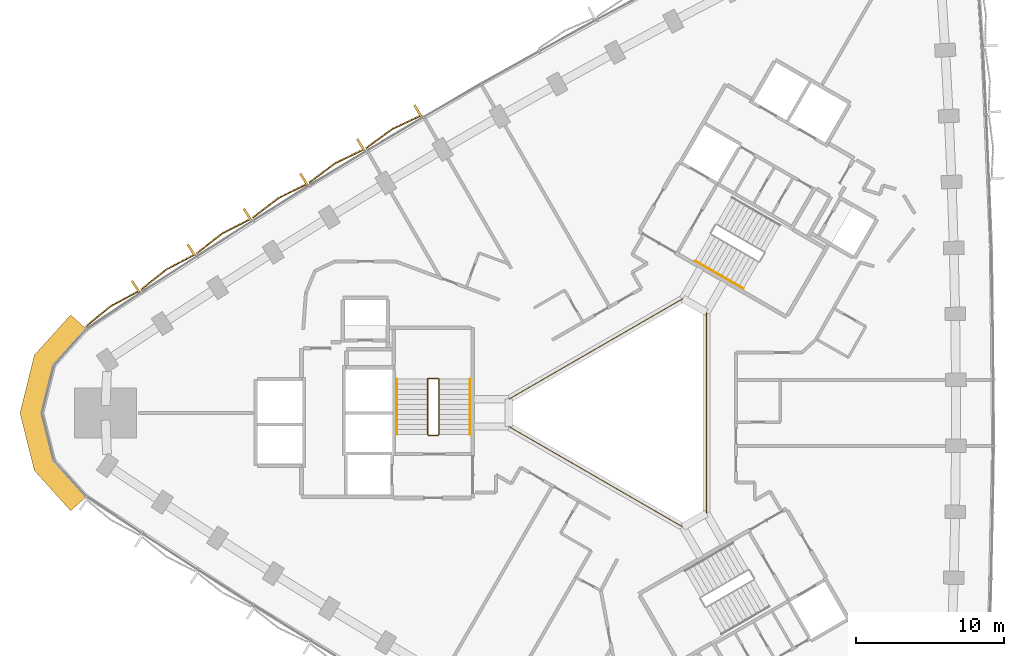
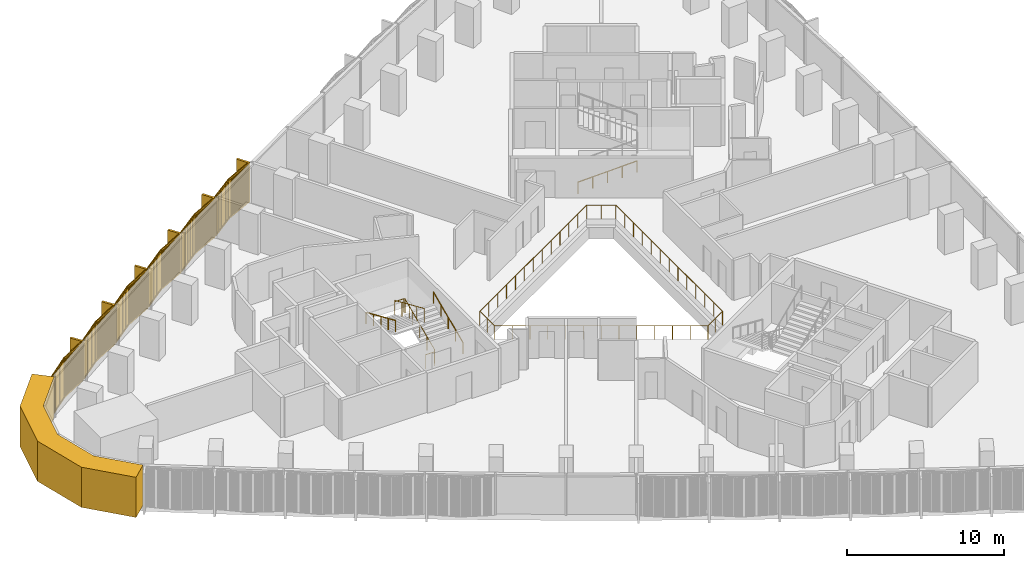
# One storey, part 14 of 15: 7 coverings, 5 railings.
"""IFC4 building model written with IfcOpenShell, lengths in metres."""

import ifcopenshell
import ifcopenshell.guid

model = None  # the IFC model being written
_history = None  # IfcOwnerHistory: only IFC2X3 demands one
_inside = {}  # id of a spatial element -> (the spatial element, [elements in it])
_under = {}  # id of a project, library or spatial element -> (it, [spatial elements below it])
_declared = {}  # id of a project -> (the project, [libraries it declares])
_typed = {}  # id of a type object -> (the type object, [elements of that type])
_made_of = {}  # id of a material, layer set ... -> (it, [elements and type objects made of it])


def new_model(schema):
    """Start an empty IFC model of exactly this schema.

    Asked for "IFC4X3", IfcOpenShell would pick the latest addendum, in which some entities
    have other attributes; the version numbers below select the first issue.
    IFC2X3 requires an IfcOwnerHistory on every rooted entity: one is made here for all.
    """
    global model, _history
    if schema == "IFC4X3":
        model = ifcopenshell.file(schema_version=(4, 3, 0, 0))
    else:
        model = ifcopenshell.file(schema=schema)
    _inside.clear()
    _under.clear()
    _declared.clear()
    _typed.clear()
    _made_of.clear()
    _history = None
    if model.schema == "IFC2X3":
        org = make("IfcOrganization", Name="unknown")
        user = make(
            "IfcPersonAndOrganization",
            ThePerson=make("IfcPerson", FamilyName="unknown"),
            TheOrganization=org,
        )
        app = make(
            "IfcApplication",
            ApplicationDeveloper=org,
            Version="unknown",
            ApplicationFullName="unknown",
            ApplicationIdentifier="unknown",
        )
        _history = make(
            "IfcOwnerHistory",
            OwningUser=user,
            OwningApplication=app,
            ChangeAction="ADDED",
            CreationDate=0,
        )
    return model


def make(cls, **values):
    """One entity of the class cls with the attributes given. An attribute that is None is left unset."""
    return model.create_entity(
        cls, **{name: value for name, value in values.items() if value is not None}
    )


def rooted(cls, **values):
    """An entity with a GlobalId (a new one), such as an element, a storey or a relation."""
    return make(cls, GlobalId=ifcopenshell.guid.new(), OwnerHistory=_history, **values)


def si_unit(unit_type, name, prefix=None):
    """IfcSIUnit, for example si_unit("LENGTHUNIT", "METRE", prefix="MILLI")."""
    return make("IfcSIUnit", UnitType=unit_type, Prefix=prefix, Name=name)


def assignment(units):
    """IfcUnitAssignment: the units of a project."""
    return None if units is None else make("IfcUnitAssignment", Units=units)


def point(xyz):
    """IfcCartesianPoint."""
    return None if xyz is None else make("IfcCartesianPoint", Coordinates=xyz)


def direction(xyz):
    """IfcDirection."""
    return None if xyz is None else make("IfcDirection", DirectionRatios=xyz)


def frame(location, z_axis=None, x_axis=None):
    """IfcAxis2Placement3D, a coordinate frame: its origin and axes. An axis left out is left unset."""
    return make(
        "IfcAxis2Placement3D",
        Location=point(location),
        Axis=direction(z_axis),
        RefDirection=direction(x_axis),
    )


def frame_2d(location, x_axis=None):
    """IfcAxis2Placement2D, a coordinate frame in the plane: its origin and x axis."""
    return make(
        "IfcAxis2Placement2D", Location=point(location), RefDirection=direction(x_axis)
    )


def origin():
    """The frame at (0, 0, 0) with its axes left unset."""
    return frame((0.0, 0.0, 0.0))


def origin_2d():
    """The frame at (0, 0) in the plane with its x axis left unset."""
    return frame_2d((0.0, 0.0))


def place(relative_to, where):
    """IfcLocalPlacement: puts the frame where relative to a parent placement (None: the world)."""
    return make(
        "IfcLocalPlacement", PlacementRelTo=relative_to, RelativePlacement=where
    )


def context(
    kind, dimensions, precision=None, world=None, true_north=None, identifier=None
):
    """IfcGeometricRepresentationContext, for example the 3D "Model" context."""
    return make(
        "IfcGeometricRepresentationContext",
        ContextIdentifier=identifier,
        ContextType=kind,
        CoordinateSpaceDimension=dimensions,
        Precision=precision,
        WorldCoordinateSystem=world,
        TrueNorth=true_north,
    )


def subcontext(parent, identifier, kind, view, scale=None):
    """IfcGeometricRepresentationSubContext, for example "Body" below "Model"."""
    return make(
        "IfcGeometricRepresentationSubContext",
        ContextIdentifier=identifier,
        ContextType=kind,
        ParentContext=parent,
        TargetScale=scale,
        TargetView=view,
    )


def project(units=None, contexts=None):
    """IfcProject with its units and contexts."""
    return rooted(
        "IfcProject",
        Name="project",
        RepresentationContexts=contexts,
        UnitsInContext=assignment(units),
    )


def spatial(cls, under=None, at=None, **own):
    """A site, building, storey or space (cls), placed at a placement, below another one or the project."""
    s = rooted(cls, ObjectPlacement=at, **own)
    if under is not None:
        _under.setdefault(under.id(), (under, []))[1].append(s)
    return s


def polyline(points):
    """IfcPolyline through the points."""
    return make("IfcPolyline", Points=[point(p) for p in points])


def profile(cls, at=None, kind="AREA", **sizes):
    """A parametric profile (cls). Its sizes go by their IFC names, for example OverallWidth=200.0."""
    return make(cls, ProfileType=kind, Position=at, **sizes)


def rectangle(**sizes):
    """IfcRectangleProfileDef."""
    return profile("IfcRectangleProfileDef", **sizes)


def circle(**sizes):
    """IfcCircleProfileDef."""
    return profile("IfcCircleProfileDef", **sizes)


def outline(outer, holes=None, kind="AREA"):
    """IfcArbitraryClosedProfileDef: a profile drawn as a closed curve; with holes, ...WithVoids."""
    if holes is None:
        return make("IfcArbitraryClosedProfileDef", ProfileType=kind, OuterCurve=outer)
    return make(
        "IfcArbitraryProfileDefWithVoids",
        ProfileType=kind,
        OuterCurve=outer,
        InnerCurves=holes,
    )


def extrude(swept, where, along, depth):
    """IfcExtrudedAreaSolid: the profile swept, set in the frame where, extruded along a direction by depth."""
    return make(
        "IfcExtrudedAreaSolid",
        SweptArea=swept,
        Position=where,
        ExtrudedDirection=direction(along),
        Depth=depth,
    )


def shape(context_of_items, identifier, shape_type, items):
    """IfcShapeRepresentation: the items that make up one representation, for example the "Body"."""
    return make(
        "IfcShapeRepresentation",
        ContextOfItems=context_of_items,
        RepresentationIdentifier=identifier,
        RepresentationType=shape_type,
        Items=items,
    )


def source(mapping_origin, context_of_items, identifier, shape_type, items):
    """IfcRepresentationMap: a shape defined once, which mapped items show again and again."""
    return make(
        "IfcRepresentationMap",
        MappingOrigin=mapping_origin,
        MappedRepresentation=shape(context_of_items, identifier, shape_type, items),
    )


def transform(
    local_origin,
    x_axis=None,
    y_axis=None,
    z_axis=None,
    scale=None,
    scale2=None,
    scale3=None,
    uniform=True,
):
    """IfcCartesianTransformationOperator3D, or its non-uniform kind. x_axis, y_axis, z_axis: its Axis1, 2, 3."""
    if uniform:
        return make(
            "IfcCartesianTransformationOperator3D",
            Axis1=direction(x_axis),
            Axis2=direction(y_axis),
            LocalOrigin=point(local_origin),
            Scale=scale,
            Axis3=direction(z_axis),
        )
    return make(
        "IfcCartesianTransformationOperator3DnonUniform",
        Axis1=direction(x_axis),
        Axis2=direction(y_axis),
        LocalOrigin=point(local_origin),
        Scale=scale,
        Axis3=direction(z_axis),
        Scale2=scale2,
        Scale3=scale3,
    )


def mapped(mapping_source, mapping_target):
    """IfcMappedItem: shows the shape of a source again, moved by a transform."""
    return make(
        "IfcMappedItem", MappingSource=mapping_source, MappingTarget=mapping_target
    )


def material(Name=None, Category=None):
    """IfcMaterial."""
    return make("IfcMaterial", Name=Name, Category=Category)


def layer(
    of_material, thickness, ventilated=None, Name=None, Category=None, Priority=None
):
    """IfcMaterialLayer: one layer of a wall or slab, of a material (None: an air gap)."""
    return make(
        "IfcMaterialLayer",
        Material=of_material,
        LayerThickness=thickness,
        IsVentilated=ventilated,
        Name=Name,
        Category=Category,
        Priority=Priority,
    )


def layer_set(layers, Name=None):
    """IfcMaterialLayerSet."""
    return make("IfcMaterialLayerSet", MaterialLayers=layers, LayerSetName=Name)


def made_of(thing, what):
    """Note that an element or type object is made of a material, layer set ...; save() writes the relation."""
    if what is not None:
        _made_of.setdefault(what.id(), (what, []))[1].append(thing)
    return thing


def type_object(cls, material=None, **own):
    """A type object (cls), such as IfcWallType, which elements share."""
    return made_of(rooted(cls, **own), material)


def element(
    cls,
    number,
    at=None,
    inside=None,
    cuts=None,
    type_object=None,
    material=None,
    context=None,
    identifier="Body",
    shape_type=None,
    held_by="IfcProductDefinitionShape",
    body=None,
    shapes=None,
    **own,
):
    """One element of the class cls, such as IfcWall. Its Tag is "e" and its number.

    at: its placement. inside: the storey or other place that contains it. cuts: it is an
    opening in that element (IfcRelVoidsElement). A single representation is given by context,
    identifier, shape_type and body (its items); several are given by shapes. held_by: the class
    of the entity that holds the representations. save() writes the other relations.
    """
    e = rooted(cls, Tag="e%d" % number, ObjectPlacement=at, **own)
    if body is not None:
        shapes = [shape(context, identifier, shape_type, body)]
    if shapes is not None:
        e.Representation = make(held_by, Representations=shapes)
    if inside is not None:
        _inside.setdefault(inside.id(), (inside, []))[1].append(e)
    if cuts is not None:
        rooted(
            "IfcRelVoidsElement", RelatingBuildingElement=cuts, RelatedOpeningElement=e
        )
    if type_object is not None:
        _typed.setdefault(type_object.id(), (type_object, []))[1].append(e)
    return made_of(e, material)


def aggregate(whole, parts):
    """IfcRelAggregates: a whole, such as a stair, and the parts it consists of."""
    return rooted("IfcRelAggregates", RelatingObject=whole, RelatedObjects=parts)


def save(model, path):
    """Write the relations noted so far, then the file.

    IfcRelAggregates (storeys below a building ...), IfcRelContainedInSpatialStructure (elements
    in a storey), IfcRelDefinesByType, IfcRelAssociatesMaterial and IfcRelDeclares: one each for
    every whole, place, type object, material and project.
    """
    for whole, parts in _under.values():
        aggregate(whole, parts)
    for where, things in _inside.values():
        rooted(
            "IfcRelContainedInSpatialStructure",
            RelatedElements=things,
            RelatingStructure=where,
        )
    for kind, things in _typed.values():
        rooted("IfcRelDefinesByType", RelatedObjects=things, RelatingType=kind)
    for what, things in _made_of.values():
        rooted("IfcRelAssociatesMaterial", RelatedObjects=things, RelatingMaterial=what)
    for by, libraries in _declared.values():
        rooted("IfcRelDeclares", RelatingContext=by, RelatedDefinitions=libraries)
    model.write(path)


model = new_model("IFC4")

# Units and contexts
model_context = context("Model", 3, precision=1e-05, world=origin(), true_north=direction((0.0, 1.0)))
body_context = subcontext(model_context, "Body", "Model", "MODEL_VIEW")
ifc_project = project(units=[si_unit("LENGTHUNIT", "METRE"), si_unit("AREAUNIT", "SQUARE_METRE"), si_unit("VOLUMEUNIT", "CUBIC_METRE"), si_unit("PLANEANGLEUNIT", "RADIAN"), si_unit("MASSUNIT", "GRAM", prefix="KILO")], contexts=[model_context])

# Site, building, storey
site_placement = place(None, origin())
site = spatial("IfcSite", under=ifc_project, at=site_placement, CompositionType="ELEMENT")
building_placement = place(site_placement, origin())
building = spatial("IfcBuilding", under=site, at=building_placement, Name="Tamra Quay Hotel Tower", CompositionType="ELEMENT")
storey_placement = place(building_placement, frame((0.0, 0.0, 53.0)))
storey = spatial("IfcBuildingStorey", under=building, at=storey_placement, Name="L11", CompositionType="ELEMENT", Elevation=53.0)

# Covering
ifc_material_1 = material(Name="Precast concrete M60 terracotta-coloured", Category="masonry")
ifc_layer = layer(ifc_material_1, 1.449951171875)
ifc_layer_set = layer_set([ifc_layer], Name="CORNER PIER PANEL")
covering_type_1 = type_object("IfcCoveringType", Name="CORNER PIER PANEL", PredefinedType="CLADDING", material=ifc_layer_set)
covering_placement = place(storey_placement, origin())
element("IfcCovering", 1, at=covering_placement, inside=storey, type_object=covering_type_1, Name="Corner pier L11.north-west", PredefinedType="CLADDING", context=body_context, shape_type="SweptSolid", body=[
    extrude(outline(polyline([(-37.001708984375, 5.6669921875), (-38.0791015625, 6.63720703125), (-40.5341796875, 3.91064453125), (-41.509033203125, 0.0), (-40.5341796875, -3.91064453125), (-38.0791015625, -6.63720703125), (-37.001708984375, -5.6669921875), (-39.214599609375, -3.208984375), (-40.0146484375, 0.0), (-39.214599609375, 3.208984375), (-37.001708984375, 5.6669921875)])), origin(), (0.0, 0.0, 1.0), 3.125),
])

# Railings
ifc_material_2 = material(Name="Guard atrium edge 1100")
railing_type_1 = type_object("IfcRailingType", Name="Guard atrium edge 1100", PredefinedType="GUARDRAIL", material=ifc_material_2)
railing_1_placement = place(storey_placement, frame((5.0, -6.81298828125, 0.0)))
element("IfcRailing", 2, at=railing_1_placement, inside=storey, type_object=railing_type_1, Name="G-A", PredefinedType="GUARDRAIL", context=body_context, shape_type="SweptSolid", body=[
    extrude(circle(Radius=0.02392578125, at=origin_2d()), frame((0.0, 0.0, 1.076171875), z_axis=(-0.866194386982, -0.499707198227, 0.0), x_axis=(0.499707198227, -0.866194386982, 0.0)), (0.0, 0.0, 1.0), 1.84716796875),
    extrude(circle(Radius=0.02392578125, at=origin_2d()), frame((-1.60009765625, -0.923095703125, 1.076171875), z_axis=(-0.866044747976, 0.49996649338, 0.0), x_axis=(-0.49996649338, -0.866044747976, 0.0)), (0.0, 0.0, 1.0), 13.625),
    extrude(circle(Radius=0.02392578125, at=origin_2d()), frame((-13.39990234375, 5.888916015625, 1.076171875), z_axis=(0.0, 1.0, 0.0), x_axis=(-1.0, 0.0, 0.0)), (0.0, 0.0, 1.0), 1.84814453125),
    extrude(circle(Radius=0.02392578125, at=origin_2d()), frame((-13.39990234375, 7.737060546875, 1.076171875), z_axis=(0.866044747976, 0.49996649338, 0.0), x_axis=(-0.49996649338, 0.866044747976, 0.0)), (0.0, 0.0, 1.0), 13.625),
    extrude(circle(Radius=0.02392578125, at=origin_2d()), frame((-1.60009765625, 14.549072265625, 1.076171875), z_axis=(0.866194386982, -0.499707198227, 0.0), x_axis=(0.499707198227, 0.866194386982, 0.0)), (0.0, 0.0, 1.0), 1.84716796875),
    extrude(circle(Radius=0.02392578125, at=origin_2d()), frame((0.0, 13.6259765625, 1.076171875), z_axis=(0.0, -1.0, 0.0), x_axis=(1.0, 0.0, 0.0)), (0.0, 0.0, 1.0), 13.6259765625),
    extrude(circle(Radius=0.02099609375, at=origin_2d()), origin(), (0.0, 0.0, 1.0), 1.052001953125),
    extrude(circle(Radius=0.02099609375, at=origin_2d()), frame((-0.800048828125, -0.46142578125, 0.0)), (0.0, 0.0, 1.0), 1.052001953125),
    extrude(circle(Radius=0.02099609375, at=origin_2d()), frame((-1.60009765625, -0.923095703125, 0.0)), (0.0, 0.0, 1.0), 1.052001953125),
    extrude(circle(Radius=0.02099609375, at=origin_2d()), frame((-2.58349609375, -0.35546875, 0.0)), (0.0, 0.0, 1.0), 1.052001953125),
    extrude(circle(Radius=0.02099609375, at=origin_2d()), frame((-3.566650390625, 0.212158203125, 0.0)), (0.0, 0.0, 1.0), 1.052001953125),
    extrude(circle(Radius=0.02099609375, at=origin_2d()), frame((-4.550048828125, 0.77978515625, 0.0)), (0.0, 0.0, 1.0), 1.052001953125),
    extrude(circle(Radius=0.02099609375, at=origin_2d()), frame((-5.533447265625, 1.34765625, 0.0)), (0.0, 0.0, 1.0), 1.052001953125),
    extrude(circle(Radius=0.02099609375, at=origin_2d()), frame((-6.5166015625, 1.915283203125, 0.0)), (0.0, 0.0, 1.0), 1.052001953125),
    extrude(circle(Radius=0.02099609375, at=origin_2d()), frame((-7.5, 2.48291015625, 0.0)), (0.0, 0.0, 1.0), 1.052001953125),
    extrude(circle(Radius=0.02099609375, at=origin_2d()), frame((-8.4833984375, 3.050537109375, 0.0)), (0.0, 0.0, 1.0), 1.052001953125),
    extrude(circle(Radius=0.02099609375, at=origin_2d()), frame((-9.466552734375, 3.6181640625, 0.0)), (0.0, 0.0, 1.0), 1.052001953125),
    extrude(circle(Radius=0.02099609375, at=origin_2d()), frame((-10.449951171875, 4.18603515625, 0.0)), (0.0, 0.0, 1.0), 1.052001953125),
    extrude(circle(Radius=0.02099609375, at=origin_2d()), frame((-11.433349609375, 4.753662109375, 0.0)), (0.0, 0.0, 1.0), 1.052001953125),
    extrude(circle(Radius=0.02099609375, at=origin_2d()), frame((-12.41650390625, 5.3212890625, 0.0)), (0.0, 0.0, 1.0), 1.052001953125),
    extrude(circle(Radius=0.02099609375, at=origin_2d()), frame((-13.39990234375, 5.888916015625, 0.0)), (0.0, 0.0, 1.0), 1.052001953125),
    extrude(circle(Radius=0.02099609375, at=origin_2d()), frame((-13.39990234375, 6.81298828125, 0.0)), (0.0, 0.0, 1.0), 1.052001953125),
    extrude(circle(Radius=0.02099609375, at=origin_2d()), frame((-13.39990234375, 7.737060546875, 0.0)), (0.0, 0.0, 1.0), 1.052001953125),
    extrude(circle(Radius=0.02099609375, at=origin_2d()), frame((-12.41650390625, 8.3046875, 0.0)), (0.0, 0.0, 1.0), 1.052001953125),
    extrude(circle(Radius=0.02099609375, at=origin_2d()), frame((-11.433349609375, 8.872314453125, 0.0)), (0.0, 0.0, 1.0), 1.052001953125),
    extrude(circle(Radius=0.02099609375, at=origin_2d()), frame((-10.449951171875, 9.43994140625, 0.0)), (0.0, 0.0, 1.0), 1.052001953125),
    extrude(circle(Radius=0.02099609375, at=origin_2d()), frame((-9.466552734375, 10.0078125, 0.0)), (0.0, 0.0, 1.0), 1.052001953125),
    extrude(circle(Radius=0.02099609375, at=origin_2d()), frame((-8.4833984375, 10.575439453125, 0.0)), (0.0, 0.0, 1.0), 1.052001953125),
    extrude(circle(Radius=0.02099609375, at=origin_2d()), frame((-7.5, 11.14306640625, 0.0)), (0.0, 0.0, 1.0), 1.052001953125),
    extrude(circle(Radius=0.02099609375, at=origin_2d()), frame((-6.5166015625, 11.710693359375, 0.0)), (0.0, 0.0, 1.0), 1.052001953125),
    extrude(circle(Radius=0.02099609375, at=origin_2d()), frame((-5.533447265625, 12.2783203125, 0.0)), (0.0, 0.0, 1.0), 1.052001953125),
    extrude(circle(Radius=0.02099609375, at=origin_2d()), frame((-4.550048828125, 12.84619140625, 0.0)), (0.0, 0.0, 1.0), 1.052001953125),
    extrude(circle(Radius=0.02099609375, at=origin_2d()), frame((-3.566650390625, 13.413818359375, 0.0)), (0.0, 0.0, 1.0), 1.052001953125),
    extrude(circle(Radius=0.02099609375, at=origin_2d()), frame((-2.58349609375, 13.9814453125, 0.0)), (0.0, 0.0, 1.0), 1.052001953125),
    extrude(circle(Radius=0.02099609375, at=origin_2d()), frame((-1.60009765625, 14.549072265625, 0.0)), (0.0, 0.0, 1.0), 1.052001953125),
    extrude(circle(Radius=0.02099609375, at=origin_2d()), frame((-0.800048828125, 14.08740234375, 0.0)), (0.0, 0.0, 1.0), 1.052001953125),
    extrude(circle(Radius=0.02099609375, at=origin_2d()), frame((0.0, 13.6259765625, 0.0)), (0.0, 0.0, 1.0), 1.052001953125),
    extrude(circle(Radius=0.02099609375, at=origin_2d()), frame((0.0, 12.490478515625, 0.0)), (0.0, 0.0, 1.0), 1.052001953125),
    extrude(circle(Radius=0.02099609375, at=origin_2d()), frame((0.0, 11.35498046875, 0.0)), (0.0, 0.0, 1.0), 1.052001953125),
    extrude(circle(Radius=0.02099609375, at=origin_2d()), frame((0.0, 10.219482421875, 0.0)), (0.0, 0.0, 1.0), 1.052001953125),
    extrude(circle(Radius=0.02099609375, at=origin_2d()), frame((0.0, 9.083984375, 0.0)), (0.0, 0.0, 1.0), 1.052001953125),
    extrude(circle(Radius=0.02099609375, at=origin_2d()), frame((0.0, 7.948486328125, 0.0)), (0.0, 0.0, 1.0), 1.052001953125),
    extrude(circle(Radius=0.02099609375, at=origin_2d()), frame((0.0, 6.81298828125, 0.0)), (0.0, 0.0, 1.0), 1.052001953125),
    extrude(circle(Radius=0.02099609375, at=origin_2d()), frame((0.0, 5.677490234375, 0.0)), (0.0, 0.0, 1.0), 1.052001953125),
    extrude(circle(Radius=0.02099609375, at=origin_2d()), frame((0.0, 4.5419921875, 0.0)), (0.0, 0.0, 1.0), 1.052001953125),
    extrude(circle(Radius=0.02099609375, at=origin_2d()), frame((0.0, 3.406494140625, 0.0)), (0.0, 0.0, 1.0), 1.052001953125),
    extrude(circle(Radius=0.02099609375, at=origin_2d()), frame((0.0, 2.27099609375, 0.0)), (0.0, 0.0, 1.0), 1.052001953125),
    extrude(circle(Radius=0.02099609375, at=origin_2d()), frame((0.0, 1.135498046875, 0.0)), (0.0, 0.0, 1.0), 1.052001953125),
])
ifc_material_3 = material(Name="Stair guard 1100")
railing_type_2 = type_object("IfcRailingType", Name="Stair guard 1100", PredefinedType="GUARDRAIL", material=ifc_material_3)
railing_2_placement = place(storey_placement, frame((-13.84130859375, -1.530029296875, 0.0)))
element("IfcRailing", 3, at=railing_2_placement, inside=storey, type_object=railing_type_2, Name="GR", PredefinedType="GUARDRAIL", context=body_context, shape_type="SweptSolid", body=[
    extrude(circle(Radius=0.02392578125, at=origin_2d()), frame((0.0, 0.0, 1.076171875), z_axis=(1.0, 0.0, 0.0), x_axis=(0.0, 1.0, 0.0)), (0.0, 0.0, 1.0), 0.658935546875),
    extrude(circle(Radius=0.02392578125, at=origin_2d()), frame((0.658935546875, 0.0, 1.076171875), z_axis=(0.301912943143, 0.301912943143, 0.904266083366), x_axis=(-0.707106781187, 0.707106781187, 0.0)), (0.0, 0.0, 1.0), 0.165771484375),
    extrude(circle(Radius=0.02392578125, at=origin_2d()), frame((0.708984375, 0.050048828125, 1.22607421875), z_axis=(0.0, 0.915773634228, 0.401694723457), x_axis=(-1.0, 0.0, 0.0)), (0.0, 0.0, 1.0), 4.10791015625),
    extrude(circle(Radius=0.02392578125, at=origin_2d()), frame((0.708984375, 3.81201171875, 2.8759765625), z_axis=(-0.708833529934, 0.705375805398, 0.0), x_axis=(-0.705375805398, -0.708833529934, 0.0)), (0.0, 0.0, 1.0), 0.070556640625),
    extrude(circle(Radius=0.02392578125, at=origin_2d()), frame((0.658935546875, 3.86181640625, 2.8759765625), z_axis=(-1.0, 0.0, 0.0), x_axis=(0.0, -1.0, 0.0)), (0.0, 0.0, 1.0), 0.658935546875),
    extrude(circle(Radius=0.02392578125, at=origin_2d()), frame((0.0, 3.86181640625, 2.8759765625), z_axis=(-0.302046947789, -0.300573548044, 0.904667443621), x_axis=(0.705375805398, -0.708833529934, 0.0)), (0.0, 0.0, 1.0), 0.165771484375),
    extrude(circle(Radius=0.02392578125, at=origin_2d()), frame((-0.050048828125, 3.81201171875, 3.02587890625), z_axis=(0.0, -0.915773634228, 0.401694723457), x_axis=(1.0, 0.0, 0.0)), (0.0, 0.0, 1.0), 4.10791015625),
    extrude(circle(Radius=0.02099609375, at=origin_2d()), origin(), (0.0, 0.0, 1.0), 1.052001953125),
    extrude(circle(Radius=0.02099609375, at=origin_2d()), frame((0.658935546875, 0.0, 0.0)), (0.0, 0.0, 1.0), 1.052001953125),
    extrude(circle(Radius=0.02099609375, at=origin_2d()), frame((0.708984375, 0.050048828125, 0.14990234375)), (0.0, 0.0, 1.0), 1.052001953125),
    extrude(circle(Radius=0.02099609375, at=origin_2d()), frame((0.708984375, 0.990478515625, 0.5625)), (0.0, 0.0, 1.0), 1.052001953125),
    extrude(circle(Radius=0.02099609375, at=origin_2d()), frame((0.708984375, 1.93115234375, 0.97509765625)), (0.0, 0.0, 1.0), 1.052001953125),
    extrude(circle(Radius=0.02099609375, at=origin_2d()), frame((0.708984375, 2.87158203125, 1.387451171875)), (0.0, 0.0, 1.0), 1.052001953125),
    extrude(circle(Radius=0.02099609375, at=origin_2d()), frame((0.708984375, 3.81201171875, 1.800048828125)), (0.0, 0.0, 1.0), 1.052001953125),
    extrude(circle(Radius=0.02099609375, at=origin_2d()), frame((0.658935546875, 3.86181640625, 1.800048828125)), (0.0, 0.0, 1.0), 1.052001953125),
    extrude(circle(Radius=0.02099609375, at=origin_2d()), frame((0.0, 3.86181640625, 1.800048828125)), (0.0, 0.0, 1.0), 1.052001953125),
    extrude(circle(Radius=0.02099609375, at=origin_2d()), frame((-0.050048828125, 3.81201171875, 1.949951171875)), (0.0, 0.0, 1.0), 1.052001953125),
    extrude(circle(Radius=0.02099609375, at=origin_2d()), frame((-0.050048828125, 2.87158203125, 2.362548828125)), (0.0, 0.0, 1.0), 1.052001953125),
    extrude(circle(Radius=0.02099609375, at=origin_2d()), frame((-0.050048828125, 1.93115234375, 2.77490234375)), (0.0, 0.0, 1.0), 1.052001953125),
    extrude(circle(Radius=0.02099609375, at=origin_2d()), frame((-0.050048828125, 0.990478515625, 3.1875)), (0.0, 0.0, 1.0), 1.052001953125),
    extrude(circle(Radius=0.02099609375, at=origin_2d()), frame((-0.050048828125, 0.050048828125, 3.60009765625)), (0.0, 0.0, 1.0), 1.052001953125),
])
ifc_material_4 = material(Name="Stair handrail 900")
railing_type_3 = type_object("IfcRailingType", Name="Stair handrail 900", PredefinedType="HANDRAIL", material=ifc_material_4)
railing_3_placement = place(storey_placement, frame((-11.0322265625, -1.47998046875, 0.14990234375)))
element("IfcRailing", 4, at=railing_3_placement, inside=storey, type_object=railing_type_3, Name="HR", PredefinedType="HANDRAIL", context=body_context, shape_type="SweptSolid", body=[
    extrude(circle(Radius=0.02392578125, at=origin_2d()), frame((0.0, 0.0, 0.8759765625), z_axis=(0.0, 0.915773634228, 0.401694723457), x_axis=(-1.0, 0.0, 0.0)), (0.0, 0.0, 1.0), 4.10791015625),
    extrude(circle(Radius=0.02099609375, at=origin_2d()), origin(), (0.0, 0.0, 1.0), 0.851806640625),
    extrude(circle(Radius=0.02099609375, at=origin_2d()), frame((0.0, 0.9404296875, 0.41259765625)), (0.0, 0.0, 1.0), 0.851806640625),
    extrude(circle(Radius=0.02099609375, at=origin_2d()), frame((0.0, 1.880859375, 0.8251953125)), (0.0, 0.0, 1.0), 0.851806640625),
    extrude(circle(Radius=0.02099609375, at=origin_2d()), frame((0.0, 2.821533203125, 1.237548828125)), (0.0, 0.0, 1.0), 0.851806640625),
    extrude(circle(Radius=0.02099609375, at=origin_2d()), frame((0.0, 3.761962890625, 1.650146484375)), (0.0, 0.0, 1.0), 0.851806640625),
])
railing_4_placement = place(storey_placement, frame((-15.9912109375, 2.281982421875, 1.949951171875)))
element("IfcRailing", 5, at=railing_4_placement, inside=storey, type_object=railing_type_3, Name="HR", PredefinedType="HANDRAIL", context=body_context, shape_type="SweptSolid", body=[
    extrude(circle(Radius=0.02392578125, at=origin_2d()), frame((0.0, 0.0, 0.8759765625), z_axis=(0.0, -0.915773634228, 0.401694723457), x_axis=(1.0, 0.0, 0.0)), (0.0, 0.0, 1.0), 4.10791015625),
    extrude(circle(Radius=0.02099609375, at=origin_2d()), origin(), (0.0, 0.0, 1.0), 0.851806640625),
    extrude(circle(Radius=0.02099609375, at=origin_2d()), frame((0.0, -0.9404296875, 0.41259765625)), (0.0, 0.0, 1.0), 0.851806640625),
    extrude(circle(Radius=0.02099609375, at=origin_2d()), frame((0.0, -1.880859375, 0.8251953125)), (0.0, 0.0, 1.0), 0.851806640625),
    extrude(circle(Radius=0.02099609375, at=origin_2d()), frame((0.0, -2.821533203125, 1.237548828125)), (0.0, 0.0, 1.0), 0.851806640625),
    extrude(circle(Radius=0.02099609375, at=origin_2d()), frame((0.0, -3.761962890625, 1.650146484375)), (0.0, 0.0, 1.0), 0.851806640625),
])
railing_5_placement = place(storey_placement, frame((4.234375, 10.294189453125, 0.14990234375)))
element("IfcRailing", 6, at=railing_5_placement, inside=storey, type_object=railing_type_3, Name="HR", PredefinedType="HANDRAIL", context=body_context, shape_type="SweptSolid", body=[
    extrude(circle(Radius=0.02392578125, at=origin_2d()), frame((0.0, 0.0, 0.8759765625), z_axis=(0.793103162556, -0.457854384738, 0.401692339881), x_axis=(0.499964013922, 0.86604617936, 0.0)), (0.0, 0.0, 1.0), 4.10791015625),
    extrude(circle(Radius=0.02099609375, at=origin_2d()), origin(), (0.0, 0.0, 1.0), 0.851806640625),
    extrude(circle(Radius=0.02099609375, at=origin_2d()), frame((0.814453125, -0.47021484375, 0.41259765625)), (0.0, 0.0, 1.0), 0.851806640625),
    extrude(circle(Radius=0.02099609375, at=origin_2d()), frame((1.62890625, -0.9404296875, 0.8251953125)), (0.0, 0.0, 1.0), 0.851806640625),
    extrude(circle(Radius=0.02099609375, at=origin_2d()), frame((2.443603515625, -1.41064453125, 1.237548828125)), (0.0, 0.0, 1.0), 0.851806640625),
    extrude(circle(Radius=0.02099609375, at=origin_2d()), frame((3.258056640625, -1.880859375, 1.650146484375)), (0.0, 0.0, 1.0), 0.851806640625),
])

# Coverings
ifc_material_5 = material(Name="Terracotta baguette extruded", Category="masonry")
covering_type_2 = type_object("IfcCoveringType", Name="BAGUETTE SCREEN NW-V H3125", PredefinedType="USERDEFINED", material=ifc_material_5)
shared_shape = source(origin(), body_context, "Body", "SweptSolid", [
    extrude(rectangle(XDim=2.212646484375, YDim=0.06005859375, at=frame_2d((1.1064453125, 0.030029296875))), frame((-2.208251953125, -0.0576171875, -0.1201171875), z_axis=(0.0, 0.0, 1.0), x_axis=(0.995396198367, -0.09584575252, 0.0)), (0.0, 0.0, 1.0), 0.1201171875),
    extrude(rectangle(XDim=2.212646484375, YDim=0.06005859375, at=frame_2d((1.1064453125, 0.030029296875))), frame((-2.208251953125, -0.0576171875, -3.125), z_axis=(0.0, 0.0, 1.0), x_axis=(0.995396198367, -0.09584575252, 0.0)), (0.0, 0.0, 1.0), 0.1201171875),
    extrude(rectangle(XDim=0.070068359375, YDim=0.10009765625, at=frame_2d((0.03515625, 0.050048828125))), frame((-2.1875, -0.1328125, -3.06494140625)), (0.0, 0.0, 1.0), 3.0048828125),
    extrude(rectangle(XDim=0.070068359375, YDim=0.10009765625, at=frame_2d((0.03515625, 0.050048828125))), frame((-2.08740234375, -0.142578125, -3.06494140625)), (0.0, 0.0, 1.0), 3.0048828125),
    extrude(rectangle(XDim=0.070068359375, YDim=0.10009765625, at=frame_2d((0.03515625, 0.050048828125))), frame((-1.9873046875, -0.152099609375, -3.06494140625)), (0.0, 0.0, 1.0), 3.0048828125),
    extrude(rectangle(XDim=0.070068359375, YDim=0.10009765625, at=frame_2d((0.03515625, 0.050048828125))), frame((-1.88720703125, -0.16162109375, -3.06494140625)), (0.0, 0.0, 1.0), 3.0048828125),
    extrude(rectangle(XDim=0.070068359375, YDim=0.10009765625, at=frame_2d((0.03515625, 0.050048828125))), frame((-1.787109375, -0.17138671875, -3.06494140625)), (0.0, 0.0, 1.0), 3.0048828125),
    extrude(rectangle(XDim=0.070068359375, YDim=0.10009765625, at=frame_2d((0.03515625, 0.050048828125))), frame((-1.686767578125, -0.180908203125, -3.06494140625)), (0.0, 0.0, 1.0), 3.0048828125),
    extrude(rectangle(XDim=0.070068359375, YDim=0.10009765625, at=frame_2d((0.03515625, 0.050048828125))), frame((-1.586669921875, -0.190673828125, -3.06494140625)), (0.0, 0.0, 1.0), 3.0048828125),
    extrude(rectangle(XDim=0.070068359375, YDim=0.10009765625, at=frame_2d((0.03515625, 0.050048828125))), frame((-1.486572265625, -0.2001953125, -3.06494140625)), (0.0, 0.0, 1.0), 3.0048828125),
    extrude(rectangle(XDim=0.070068359375, YDim=0.10009765625, at=frame_2d((0.03515625, 0.050048828125))), frame((-1.386474609375, -0.2099609375, -3.06494140625)), (0.0, 0.0, 1.0), 3.0048828125),
    extrude(rectangle(XDim=0.070068359375, YDim=0.10009765625, at=frame_2d((0.03515625, 0.050048828125))), frame((-1.286376953125, -0.219482421875, -3.06494140625)), (0.0, 0.0, 1.0), 3.0048828125),
    extrude(rectangle(XDim=0.070068359375, YDim=0.10009765625, at=frame_2d((0.03515625, 0.050048828125))), frame((-1.186279296875, -0.229248046875, -3.06494140625)), (0.0, 0.0, 1.0), 3.0048828125),
    extrude(rectangle(XDim=0.070068359375, YDim=0.10009765625, at=frame_2d((0.03515625, 0.050048828125))), frame((-1.086181640625, -0.23876953125, -3.06494140625)), (0.0, 0.0, 1.0), 3.0048828125),
    extrude(rectangle(XDim=0.070068359375, YDim=0.10009765625, at=frame_2d((0.03515625, 0.050048828125))), frame((-0.986083984375, -0.24853515625, -3.06494140625)), (0.0, 0.0, 1.0), 3.0048828125),
    extrude(rectangle(XDim=0.070068359375, YDim=0.10009765625, at=frame_2d((0.03515625, 0.050048828125))), frame((-0.885986328125, -0.258056640625, -3.06494140625)), (0.0, 0.0, 1.0), 3.0048828125),
    extrude(rectangle(XDim=0.070068359375, YDim=0.10009765625, at=frame_2d((0.03515625, 0.050048828125))), frame((-0.785888671875, -0.267822265625, -3.06494140625)), (0.0, 0.0, 1.0), 3.0048828125),
    extrude(rectangle(XDim=0.070068359375, YDim=0.10009765625, at=frame_2d((0.03515625, 0.050048828125))), frame((-0.685791015625, -0.27734375, -3.06494140625)), (0.0, 0.0, 1.0), 3.0048828125),
    extrude(rectangle(XDim=0.070068359375, YDim=0.10009765625, at=frame_2d((0.03515625, 0.050048828125))), frame((-0.585693359375, -0.287109375, -3.06494140625)), (0.0, 0.0, 1.0), 3.0048828125),
    extrude(rectangle(XDim=0.070068359375, YDim=0.10009765625, at=frame_2d((0.03515625, 0.050048828125))), frame((-0.485595703125, -0.296630859375, -3.06494140625)), (0.0, 0.0, 1.0), 3.0048828125),
    extrude(rectangle(XDim=0.070068359375, YDim=0.10009765625, at=frame_2d((0.03515625, 0.050048828125))), frame((-0.385498046875, -0.306396484375, -3.06494140625)), (0.0, 0.0, 1.0), 3.0048828125),
    extrude(rectangle(XDim=0.070068359375, YDim=0.10009765625, at=frame_2d((0.03515625, 0.050048828125))), frame((-0.285400390625, -0.31591796875, -3.06494140625)), (0.0, 0.0, 1.0), 3.0048828125),
    extrude(rectangle(XDim=0.070068359375, YDim=0.10009765625, at=frame_2d((0.03515625, 0.050048828125))), frame((-0.18505859375, -0.32568359375, -3.06494140625)), (0.0, 0.0, 1.0), 3.0048828125),
    extrude(rectangle(XDim=0.070068359375, YDim=0.10009765625, at=frame_2d((0.03515625, 0.050048828125))), frame((-0.0849609375, -0.335205078125, -3.06494140625)), (0.0, 0.0, 1.0), 3.0048828125),
    extrude(rectangle(XDim=2.212646484375, YDim=0.06005859375, at=frame_2d((1.1064453125, 0.030029296875))), frame((0.005859375, -0.269775390625, -0.1201171875), z_axis=(0.0, 0.0, 1.0), x_axis=(0.995396198367, 0.09584575252, 0.0)), (0.0, 0.0, 1.0), 0.1201171875),
    extrude(rectangle(XDim=2.212646484375, YDim=0.06005859375, at=frame_2d((1.1064453125, 0.030029296875))), frame((0.005859375, -0.269775390625, -3.125), z_axis=(0.0, 0.0, 1.0), x_axis=(0.995396198367, 0.09584575252, 0.0)), (0.0, 0.0, 1.0), 0.1201171875),
    extrude(rectangle(XDim=0.070068359375, YDim=0.10009765625, at=frame_2d((0.03515625, 0.050048828125))), frame((0.01513671875, -0.335205078125, -3.06494140625)), (0.0, 0.0, 1.0), 3.0048828125),
    extrude(rectangle(XDim=0.070068359375, YDim=0.10009765625, at=frame_2d((0.03515625, 0.050048828125))), frame((0.115234375, -0.32568359375, -3.06494140625)), (0.0, 0.0, 1.0), 3.0048828125),
    extrude(rectangle(XDim=0.070068359375, YDim=0.10009765625, at=frame_2d((0.03515625, 0.050048828125))), frame((0.21533203125, -0.31591796875, -3.06494140625)), (0.0, 0.0, 1.0), 3.0048828125),
    extrude(rectangle(XDim=0.070068359375, YDim=0.10009765625, at=frame_2d((0.03515625, 0.050048828125))), frame((0.3154296875, -0.306396484375, -3.06494140625)), (0.0, 0.0, 1.0), 3.0048828125),
    extrude(rectangle(XDim=0.070068359375, YDim=0.10009765625, at=frame_2d((0.03515625, 0.050048828125))), frame((0.41552734375, -0.296630859375, -3.06494140625)), (0.0, 0.0, 1.0), 3.0048828125),
    extrude(rectangle(XDim=0.070068359375, YDim=0.10009765625, at=frame_2d((0.03515625, 0.050048828125))), frame((0.515625, -0.287109375, -3.06494140625)), (0.0, 0.0, 1.0), 3.0048828125),
    extrude(rectangle(XDim=0.070068359375, YDim=0.10009765625, at=frame_2d((0.03515625, 0.050048828125))), frame((0.61572265625, -0.27734375, -3.06494140625)), (0.0, 0.0, 1.0), 3.0048828125),
    extrude(rectangle(XDim=0.070068359375, YDim=0.10009765625, at=frame_2d((0.03515625, 0.050048828125))), frame((0.7158203125, -0.267822265625, -3.06494140625)), (0.0, 0.0, 1.0), 3.0048828125),
    extrude(rectangle(XDim=0.070068359375, YDim=0.10009765625, at=frame_2d((0.03515625, 0.050048828125))), frame((0.81591796875, -0.258056640625, -3.06494140625)), (0.0, 0.0, 1.0), 3.0048828125),
    extrude(rectangle(XDim=0.070068359375, YDim=0.10009765625, at=frame_2d((0.03515625, 0.050048828125))), frame((0.916015625, -0.24853515625, -3.06494140625)), (0.0, 0.0, 1.0), 3.0048828125),
    extrude(rectangle(XDim=0.070068359375, YDim=0.10009765625, at=frame_2d((0.03515625, 0.050048828125))), frame((1.01611328125, -0.23876953125, -3.06494140625)), (0.0, 0.0, 1.0), 3.0048828125),
    extrude(rectangle(XDim=0.070068359375, YDim=0.10009765625, at=frame_2d((0.03515625, 0.050048828125))), frame((1.1162109375, -0.229248046875, -3.06494140625)), (0.0, 0.0, 1.0), 3.0048828125),
    extrude(rectangle(XDim=0.070068359375, YDim=0.10009765625, at=frame_2d((0.03515625, 0.050048828125))), frame((1.21630859375, -0.219482421875, -3.06494140625)), (0.0, 0.0, 1.0), 3.0048828125),
    extrude(rectangle(XDim=0.070068359375, YDim=0.10009765625, at=frame_2d((0.03515625, 0.050048828125))), frame((1.316650390625, -0.2099609375, -3.06494140625)), (0.0, 0.0, 1.0), 3.0048828125),
    extrude(rectangle(XDim=0.070068359375, YDim=0.10009765625, at=frame_2d((0.03515625, 0.050048828125))), frame((1.416748046875, -0.2001953125, -3.06494140625)), (0.0, 0.0, 1.0), 3.0048828125),
    extrude(rectangle(XDim=0.070068359375, YDim=0.10009765625, at=frame_2d((0.03515625, 0.050048828125))), frame((1.516845703125, -0.190673828125, -3.06494140625)), (0.0, 0.0, 1.0), 3.0048828125),
    extrude(rectangle(XDim=0.070068359375, YDim=0.10009765625, at=frame_2d((0.03515625, 0.050048828125))), frame((1.616943359375, -0.180908203125, -3.06494140625)), (0.0, 0.0, 1.0), 3.0048828125),
    extrude(rectangle(XDim=0.070068359375, YDim=0.10009765625, at=frame_2d((0.03515625, 0.050048828125))), frame((1.717041015625, -0.17138671875, -3.06494140625)), (0.0, 0.0, 1.0), 3.0048828125),
    extrude(rectangle(XDim=0.070068359375, YDim=0.10009765625, at=frame_2d((0.03515625, 0.050048828125))), frame((1.817138671875, -0.16162109375, -3.06494140625)), (0.0, 0.0, 1.0), 3.0048828125),
    extrude(rectangle(XDim=0.070068359375, YDim=0.10009765625, at=frame_2d((0.03515625, 0.050048828125))), frame((1.917236328125, -0.152099609375, -3.06494140625)), (0.0, 0.0, 1.0), 3.0048828125),
    extrude(rectangle(XDim=0.070068359375, YDim=0.10009765625, at=frame_2d((0.03515625, 0.050048828125))), frame((2.017333984375, -0.142578125, -3.06494140625)), (0.0, 0.0, 1.0), 3.0048828125),
    extrude(rectangle(XDim=0.070068359375, YDim=0.10009765625, at=frame_2d((0.03515625, 0.050048828125))), frame((2.117431640625, -0.1328125, -3.06494140625)), (0.0, 0.0, 1.0), 3.0048828125),
    extrude(rectangle(XDim=0.14990234375, YDim=0.902099609375, at=frame_2d((0.074951171875, 0.451171875))), frame((-2.202392578125, -0.89990234375, -3.125)), (0.0, 0.0, 1.0), 3.125),
])
for number, where, z_axis, x_axis, name in (
    (7, (-16.15771484375, 18.989013671875, 3.125), (0.0, 0.0, 1.0), (-0.860556647162, -0.509354745757, 0.0), "Baguette screen L11.NW.f07"),
    (8, (-20.01708984375, 16.67626953125, 3.125), (0.0, 0.0, 1.0), (-0.85499355735, -0.51863861878, 0.0), "Baguette screen L11.NW.f08"),
    (9, (-23.851318359375, 14.322021484375, 3.125), (0.0, 0.0, 1.0), (-0.849331223164, -0.527860278254, 0.0), "Baguette screen L11.NW.f09"),
    (10, (-27.6591796875, 11.9267578125, 3.125), (0.0, 0.0, 1.0), (-0.84357098627, -0.537017682319, 0.0), "Baguette screen L11.NW.f10"),
    (11, (-31.44140625, 9.490234375, 3.125), (0.0, 0.0, 1.0), (-0.837727846152, -0.546087956086, 0.0), "Baguette screen L11.NW.f11"),
    (12, (-35.197021484375, 7.01318359375, 3.125), (0.0, 0.0, 1.0), (-0.831797967949, -0.555078499418, 0.0), "Baguette screen L11.NW.f12"),
):
    element("IfcCovering", number, at=place(storey_placement, frame(where, z_axis=z_axis, x_axis=x_axis)), inside=storey, type_object=covering_type_2, Name=name, ObjectType="BAGUETTE SCREEN", PredefinedType="USERDEFINED", context=body_context, shape_type="MappedRepresentation", body=[
        mapped(shared_shape, transform((0.0, 0.0, 0.0), scale=1.0)),
    ])

save(model, "model.ifc")
